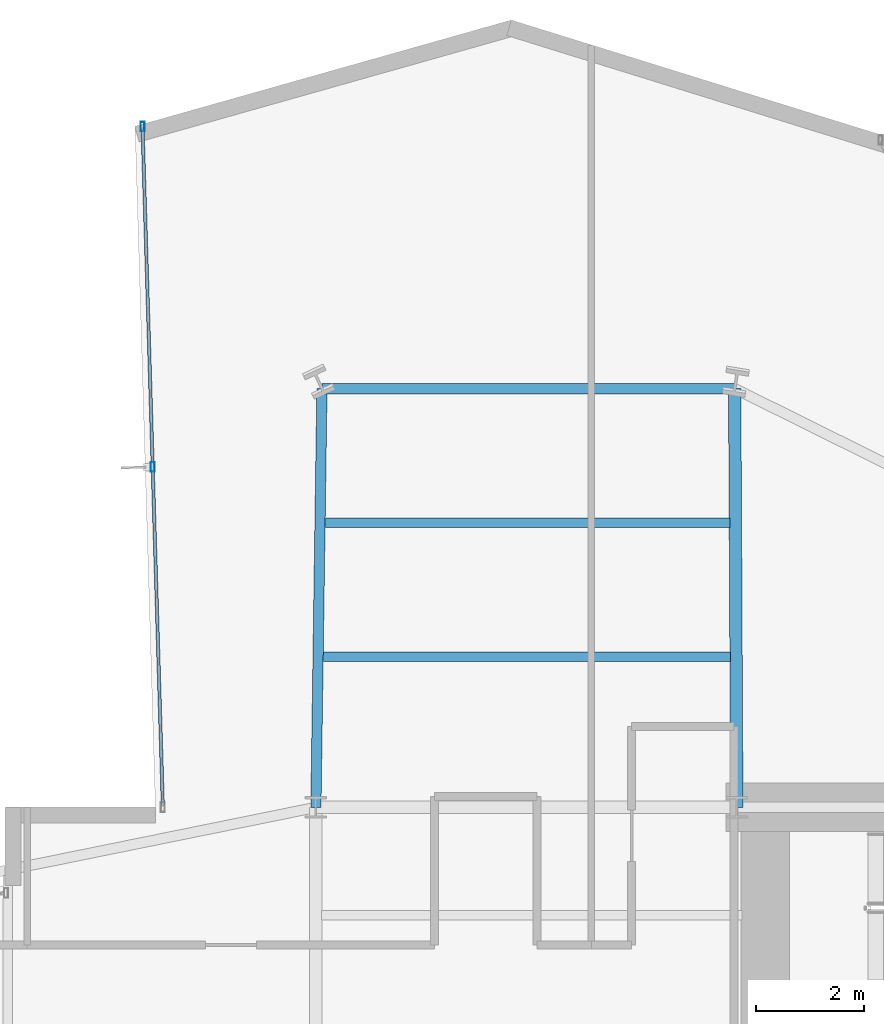
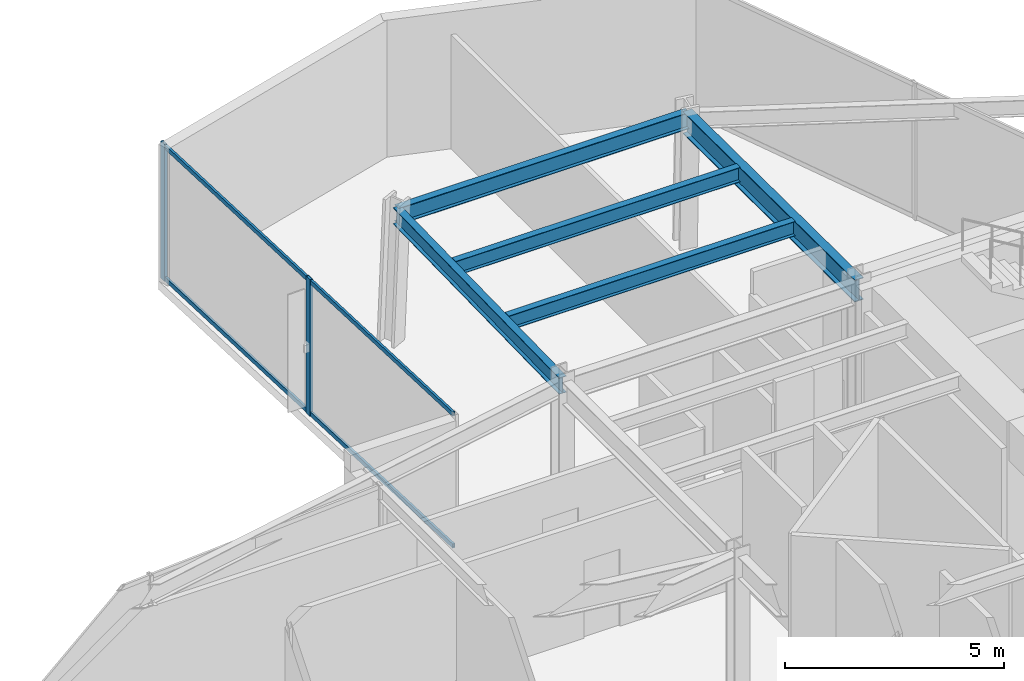
# One storey, part 19 of 28: 5 beams, 4 members, 1 element without a shape of its own.
"""IFC4 building model written with IfcOpenShell, lengths in metres."""

from ifc_helpers import new_model, si_unit, direction, frame, origin, origin_2d, place, context, subcontext, project, spatial, hollow_rectangle, i_section, extrude, material, layer, layer_set, material_profile, profile_set, type_object, element, aggregate, save


model = new_model("IFC4")

# Units and contexts
model_context = context("Model", 3, precision=1e-05, world=origin(), true_north=direction((0.0, 1.0)))
body_context = subcontext(model_context, "Body", "Model", "MODEL_VIEW")
ifc_project = project(units=[si_unit("LENGTHUNIT", "METRE"), si_unit("AREAUNIT", "SQUARE_METRE"), si_unit("VOLUMEUNIT", "CUBIC_METRE"), si_unit("PLANEANGLEUNIT", "RADIAN"), si_unit("MASSUNIT", "GRAM", prefix="KILO")], contexts=[model_context])

# Site, building, storey
site_placement = place(None, origin())
site = spatial("IfcSite", under=ifc_project, at=site_placement, CompositionType="ELEMENT")
building_placement = place(site_placement, origin())
building = spatial("IfcBuilding", under=site, at=building_placement, Name="Veymaron Broadcast Tower", CompositionType="ELEMENT")
storey_placement = place(building_placement, frame((0.0, 0.0, 45.89990234375)))
storey = spatial("IfcBuildingStorey", under=building, at=storey_placement, Name="L09", CompositionType="ELEMENT", Elevation=45.89990234375)

# Beams
ifc_material_1 = material(Name="Structural steel ASTM A992 Gr 50", Category="steel")
ifc_material_profile_1 = material_profile(ifc_material_1, i_section(OverallWidth=0.22998046875, OverallDepth=0.616943359375, WebThickness=0.01318359375, FlangeThickness=0.022216796875, at=origin_2d()), Name="W610X140")
ifc_profile_set_1 = profile_set([ifc_material_profile_1], Name="Structural steel ASTM A992 Gr 50")
beam_type_1 = type_object("IfcBeamType", Name="BM-FG1", PredefinedType="BEAM", material=ifc_profile_set_1)
beam_1_placement = place(storey_placement, frame((39.0, 32.0, 3.501708984375), z_axis=(-0.00515959783, 0.999986689187, 0.0), x_axis=(-0.999986689187, -0.00515959783, 0.0)))
element("IfcBeam", 1, at=beam_1_placement, inside=storey, type_object=beam_type_1, Name="L09 primary structural floor girder", PredefinedType="BEAM", context=body_context, shape_type="SweptSolid", body=[
    extrude(i_section(OverallWidth=0.22998046875, OverallDepth=0.616943359375, WebThickness=0.01318359375, FlangeThickness=0.022216796875, at=origin_2d()), origin(), (0.0, 0.0, 1.0), 7.760009765625),
])
ifc_material_profile_2 = material_profile(ifc_material_1, i_section(OverallWidth=0.177978515625, OverallDepth=0.406982421875, WebThickness=0.0078125, FlangeThickness=0.0126953125, at=origin_2d()), Name="W410X60")
ifc_profile_set_2 = profile_set([ifc_material_profile_2], Name="Structural steel ASTM A992 Gr 50")
beam_type_2 = type_object("IfcBeamType", Name="BM-JS1", PredefinedType="JOIST", material=ifc_profile_set_2)
beam_2_placement = place(storey_placement, frame((31.34033203125, 34.793701171875, 3.606689453125), z_axis=(1.0, 0.0, 0.0), x_axis=(0.0, 1.0, 0.0)))
element("IfcBeam", 2, at=beam_2_placement, inside=storey, type_object=beam_type_2, Name="L09 Arm-B secondary joist 1", PredefinedType="JOIST", context=body_context, shape_type="SweptSolid", body=[
    extrude(i_section(OverallWidth=0.177978515625, OverallDepth=0.406982421875, WebThickness=0.0078125, FlangeThickness=0.0126953125, at=origin_2d()), origin(), (0.0, 0.0, 1.0), 7.545166015625),
])
beam_3_placement = place(storey_placement, frame((31.376220703125, 37.27685546875, 3.606689453125), z_axis=(1.0, 0.0, 0.0), x_axis=(0.0, 1.0, 0.0)))
element("IfcBeam", 3, at=beam_3_placement, inside=storey, type_object=beam_type_2, Name="L09 Arm-B secondary joist 2", PredefinedType="JOIST", context=body_context, shape_type="SweptSolid", body=[
    extrude(i_section(OverallWidth=0.177978515625, OverallDepth=0.406982421875, WebThickness=0.0078125, FlangeThickness=0.0126953125, at=origin_2d()), origin(), (0.0, 0.0, 1.0), 7.49658203125),
])
ifc_material_profile_3 = material_profile(ifc_material_1, i_section(OverallWidth=0.19091796875, OverallDepth=0.4599609375, WebThickness=0.010009765625, FlangeThickness=0.01611328125, at=origin_2d()), Name="W460X82")
ifc_profile_set_3 = profile_set([ifc_material_profile_3], Name="Structural steel ASTM A992 Gr 50")
beam_type_3 = type_object("IfcBeamType", Name="BM-SP1", PredefinedType="SPANDREL", material=ifc_profile_set_3)
beam_4_placement = place(storey_placement, frame((31.199951171875, 32.0, 3.580078125), z_axis=(0.014439268475, 0.999895748329, 0.0), x_axis=(-0.999895748329, 0.014439268475, 0.0)))
element("IfcBeam", 4, at=beam_4_placement, inside=storey, type_object=beam_type_3, Name="L09 primary structural floor girder", PredefinedType="SPANDREL", context=body_context, shape_type="SweptSolid", body=[
    extrude(i_section(OverallWidth=0.19091796875, OverallDepth=0.4599609375, WebThickness=0.010009765625, FlangeThickness=0.01611328125, at=origin_2d()), origin(), (0.0, 0.0, 1.0), 7.7607421875),
])
beam_5_placement = place(storey_placement, frame((31.31201171875, 39.760009765625, 3.580078125), z_axis=(1.0, 0.0, 0.0), x_axis=(0.0, 1.0, 0.0)))
element("IfcBeam", 5, at=beam_5_placement, inside=storey, type_object=beam_type_3, Name="L09 primary structural floor girder", PredefinedType="SPANDREL", context=body_context, shape_type="SweptSolid", body=[
    extrude(i_section(OverallWidth=0.19091796875, OverallDepth=0.4599609375, WebThickness=0.010009765625, FlangeThickness=0.01611328125, at=origin_2d()), origin(), (0.0, 0.0, 1.0), 7.64794921875),
])

# Curtain wall, members
ifc_material_2 = material(Name="Anodised aluminium AA 6063-T6 and laminated low-E dark glass", Category="aluminium")
ifc_layer = layer(ifc_material_2, 0.179931640625)
ifc_layer_set = layer_set([ifc_layer], Name="Anodised aluminium AA 6063-T6 and laminated low-E dark glass")
curtain_wall_type = type_object("IfcCurtainWallType", Name="CW-SYS-02", PredefinedType="NOTDEFINED", material=ifc_layer_set)
curtain_wall_placement = place(storey_placement, origin())
curtain_wall = element("IfcCurtainWall", 6, at=curtain_wall_placement, inside=storey, type_object=curtain_wall_type, Name="L09 dark-glass curtain wall CW-L09-E8-1", PredefinedType="NOTDEFINED")
ifc_material_3 = material(Name="Anodised aluminium AA 6063-T6", Category="aluminium")
ifc_material_profile_4 = material_profile(ifc_material_3, hollow_rectangle(XDim=0.074951171875, YDim=0.179931640625, WallThickness=0.0048828125, at=origin_2d()), Name="AL180X75X5")
ifc_profile_set_4 = profile_set([ifc_material_profile_4], Name="Anodised aluminium AA 6063-T6")
member_type_1 = type_object("IfcMemberType", Name="CW-MUL-02", PredefinedType="MULLION", material=ifc_profile_set_4)
member_1_placement = place(storey_placement, frame((27.9873046875, 44.615234375, 0.0), z_axis=(0.0, 0.0, 1.0), x_axis=(1.0, 0.0, 0.0)))
member_1 = element("IfcMember", 7, at=member_1_placement, type_object=member_type_1, Name="CW-L09-E8-1 mullion 0", PredefinedType="MULLION", context=body_context, shape_type="SweptSolid", body=[
    extrude(hollow_rectangle(XDim=0.074951171875, YDim=0.179931640625, WallThickness=0.0048828125, at=origin_2d()), origin(), (0.0, 0.0, 1.0), 3.81005859375),
])
member_2_placement = place(storey_placement, frame((28.175537109375, 38.309814453125, 0.0), z_axis=(0.0, 0.0, 1.0), x_axis=(1.0, 0.0, 0.0)))
member_2 = element("IfcMember", 8, at=member_2_placement, type_object=member_type_1, Name="CW-L09-E8-1 mullion 1", PredefinedType="MULLION", context=body_context, shape_type="SweptSolid", body=[
    extrude(hollow_rectangle(XDim=0.074951171875, YDim=0.179931640625, WallThickness=0.0048828125, at=origin_2d()), origin(), (0.0, 0.0, 1.0), 3.81005859375),
])
ifc_material_profile_5 = material_profile(ifc_material_3, hollow_rectangle(XDim=0.06005859375, YDim=0.1201171875, WallThickness=0.00390625, at=origin_2d()), Name="AL120X60X4")
ifc_profile_set_5 = profile_set([ifc_material_profile_5], Name="Anodised aluminium AA 6063-T6")
member_type_2 = type_object("IfcMemberType", Name="CW-TRN-02", PredefinedType="USERDEFINED", material=ifc_profile_set_5)
member_3_placement = place(storey_placement, frame((27.98876953125, 44.565185546875, 0.070068359375), z_axis=(0.029862760986, -0.999554008299, 0.0), x_axis=(0.999554008299, 0.029862760986, 0.0)))
member_3 = element("IfcMember", 9, at=member_3_placement, type_object=member_type_2, Name="CW-L09-E8-1 transom B", ObjectType="TRANSOM", PredefinedType="USERDEFINED", context=body_context, shape_type="SweptSolid", body=[
    extrude(hollow_rectangle(XDim=0.06005859375, YDim=0.1201171875, WallThickness=0.00390625, at=origin_2d()), origin(), (0.0, 0.0, 1.0), 12.5166015625),
])
member_4_placement = place(storey_placement, frame((27.98876953125, 44.565185546875, 3.739990234375), z_axis=(0.029862760986, -0.999554008299, 0.0), x_axis=(0.999554008299, 0.029862760986, 0.0)))
member_4 = element("IfcMember", 10, at=member_4_placement, type_object=member_type_2, Name="CW-L09-E8-1 transom T", ObjectType="TRANSOM", PredefinedType="USERDEFINED", context=body_context, shape_type="SweptSolid", body=[
    extrude(hollow_rectangle(XDim=0.06005859375, YDim=0.1201171875, WallThickness=0.00390625, at=origin_2d()), origin(), (0.0, 0.0, 1.0), 12.5166015625),
])
aggregate(curtain_wall, [member_1, member_2, member_3, member_4])

save(model, "model.ifc")
